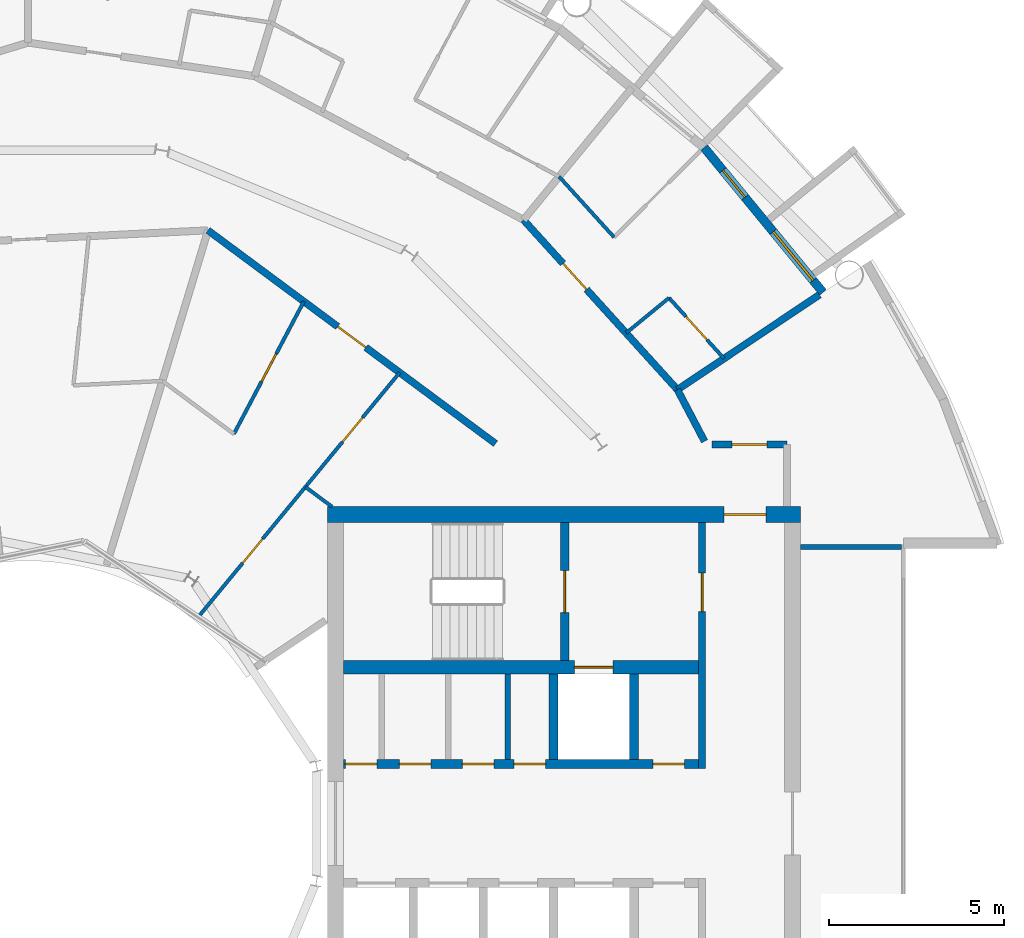
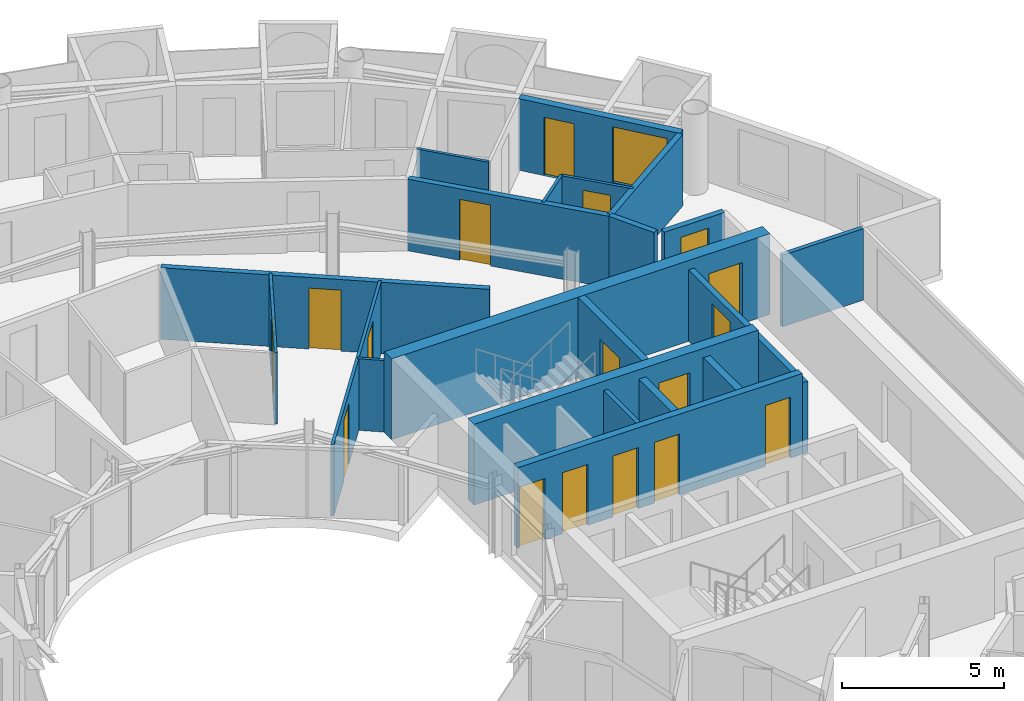
# One storey, part 23 of 29: 21 walls, 17 doors, 1 window, 18 openings.
"""IFC4 building model written with IfcOpenShell, lengths in metres."""

from ifc_helpers import new_model, si_unit, direction, frame, frame_2d, origin, place, context, subcontext, project, spatial, rectangle, extrude, material, layer, layer_set, type_object, element, fill, save


model = new_model("IFC4")

# Units and contexts
model_context = context("Model", 3, precision=1e-05, world=origin(), true_north=direction((0.0, 1.0)))
body_context = subcontext(model_context, "Body", "Model", "MODEL_VIEW")
ifc_project = project(units=[si_unit("LENGTHUNIT", "METRE"), si_unit("AREAUNIT", "SQUARE_METRE"), si_unit("VOLUMEUNIT", "CUBIC_METRE"), si_unit("PLANEANGLEUNIT", "RADIAN"), si_unit("MASSUNIT", "GRAM", prefix="KILO")], contexts=[model_context])

# Site, building, storey
site_placement = place(None, origin())
site = spatial("IfcSite", under=ifc_project, at=site_placement, CompositionType="ELEMENT")
building_placement = place(site_placement, origin())
building = spatial("IfcBuilding", under=site, at=building_placement, Name="Maasbend Ring Residences", CompositionType="ELEMENT")
storey_placement = place(building_placement, frame((0.0, 0.0, 205.449951171875)))
storey = spatial("IfcBuildingStorey", under=building, at=storey_placement, Name="L59", CompositionType="ELEMENT", Elevation=205.449951171875)

# Wall, openings, doors
ifc_material_1 = material(Name="Concrete C50/60", Category="concrete")
ifc_layer_1 = layer(ifc_material_1, 0.25)
ifc_layer_set_1 = layer_set([ifc_layer_1], Name="Concrete C50/60")
wall_type_1 = type_object("IfcWallType", Name="CORE WALL 250 C50/60", PredefinedType="SHEAR", material=ifc_layer_set_1)
wall_1_placement = place(storey_placement, frame((9.0, 1.699951171875, 0.0), z_axis=(0.0, 0.0, 1.0), x_axis=(1.0, 0.0, 0.0)))
wall_1 = element("IfcWall", 1, at=wall_1_placement, inside=storey, type_object=wall_type_1, Name="L59 core E wall SPN", PredefinedType="SHEAR", context=body_context, shape_type="SweptSolid", body=[
    extrude(rectangle(XDim=10.14990234375, YDim=0.25, at=frame_2d((5.074951171875, 0.0))), origin(), (0.0, 0.0, 1.0), 3.050048828125),
])
opening_1_placement = place(wall_1_placement, frame((0.0625, 0.0, 0.0)))
opening_1 = element("IfcOpeningElement", 2, at=opening_1_placement, cuts=wall_1, Name="Opening D-E5906", PredefinedType="OPENING", context=body_context, shape_type="SweptSolid", body=[
    extrude(rectangle(XDim=0.89990234375, YDim=2.300048828125, at=frame_2d((0.449951171875, 1.14990234375))), frame((0.0, 0.135009765625, 0.0), z_axis=(0.0, -1.0, 0.0), x_axis=(1.0, 0.0, 0.0)), (0.0, 0.0, 1.0), 0.27001953125),
])
opening_2_placement = place(wall_1_placement, frame((1.60009765625, 0.0, 0.0)))
opening_2 = element("IfcOpeningElement", 3, at=opening_2_placement, cuts=wall_1, Name="Opening D-E5907", PredefinedType="OPENING", context=body_context, shape_type="SweptSolid", body=[
    extrude(rectangle(XDim=0.89990234375, YDim=2.300048828125, at=frame_2d((0.449951171875, 1.14990234375))), frame((0.0, 0.135009765625, 0.0), z_axis=(0.0, -1.0, 0.0), x_axis=(1.0, 0.0, 0.0)), (0.0, 0.0, 1.0), 0.27001953125),
])
opening_3_placement = place(wall_1_placement, frame((3.39990234375, 0.0, 0.0)))
opening_3 = element("IfcOpeningElement", 4, at=opening_3_placement, cuts=wall_1, Name="Opening D-E5908", PredefinedType="OPENING", context=body_context, shape_type="SweptSolid", body=[
    extrude(rectangle(XDim=0.89990234375, YDim=2.300048828125, at=frame_2d((0.449951171875, 1.14990234375))), frame((0.0, 0.135009765625, 0.0), z_axis=(0.0, -1.0, 0.0), x_axis=(1.0, 0.0, 0.0)), (0.0, 0.0, 1.0), 0.27001953125),
])
opening_4_placement = place(wall_1_placement, frame((4.875, 0.0, 0.0)))
opening_4 = element("IfcOpeningElement", 5, at=opening_4_placement, cuts=wall_1, Name="Opening D-E5909", PredefinedType="OPENING", context=body_context, shape_type="SweptSolid", body=[
    extrude(rectangle(XDim=0.89990234375, YDim=2.300048828125, at=frame_2d((0.449951171875, 1.14990234375))), frame((0.0, 0.135009765625, 0.0), z_axis=(0.0, -1.0, 0.0), x_axis=(1.0, 0.0, 0.0)), (0.0, 0.0, 1.0), 0.27001953125),
])
opening_5_placement = place(wall_1_placement, frame((8.83740234375, 0.0, 0.0)))
opening_5 = element("IfcOpeningElement", 6, at=opening_5_placement, cuts=wall_1, Name="Opening D-E5910", PredefinedType="OPENING", context=body_context, shape_type="SweptSolid", body=[
    extrude(rectangle(XDim=0.89990234375, YDim=2.300048828125, at=frame_2d((0.449951171875, 1.14990234375))), frame((0.0, 0.135009765625, 0.0), z_axis=(0.0, -1.0, 0.0), x_axis=(1.0, 0.0, 0.0)), (0.0, 0.0, 1.0), 0.27001953125),
])
ifc_material_2 = material(Name="Steel, powder coated", Category="steel")
door_type_1 = type_object("IfcDoorType", Name="ROOM DOOR 900 X 2300 FD30S", OperationType="NOTDEFINED", PredefinedType="DOOR", material=ifc_material_2)
door_1_placement = place(opening_1_placement, origin())
door_1 = element("IfcDoor", 7, at=door_1_placement, inside=storey, type_object=door_type_1, Name="Room door L59", OperationType="SINGLE_SWING_RIGHT", OverallHeight=2.300048828125, OverallWidth=0.89990234375, PredefinedType="DOOR", context=body_context, shape_type="SweptSolid", body=[
    extrude(rectangle(XDim=0.89990234375, YDim=2.300048828125, at=frame_2d((0.449951171875, 1.14990234375))), frame((0.0, 0.02490234375, 0.0), z_axis=(0.0, -1.0, 0.0), x_axis=(1.0, 0.0, 0.0)), (0.0, 0.0, 1.0), 0.050048828125),
])
fill(opening_1, door_1)
door_2_placement = place(opening_2_placement, origin())
door_2 = element("IfcDoor", 8, at=door_2_placement, inside=storey, type_object=door_type_1, Name="Room door L59", OperationType="SINGLE_SWING_RIGHT", OverallHeight=2.300048828125, OverallWidth=0.89990234375, PredefinedType="DOOR", context=body_context, shape_type="SweptSolid", body=[
    extrude(rectangle(XDim=0.89990234375, YDim=2.300048828125, at=frame_2d((0.449951171875, 1.14990234375))), frame((0.0, 0.02490234375, 0.0), z_axis=(0.0, -1.0, 0.0), x_axis=(1.0, 0.0, 0.0)), (0.0, 0.0, 1.0), 0.050048828125),
])
fill(opening_2, door_2)
door_3_placement = place(opening_3_placement, origin())
door_3 = element("IfcDoor", 9, at=door_3_placement, inside=storey, type_object=door_type_1, Name="Room door L59", OperationType="SINGLE_SWING_RIGHT", OverallHeight=2.300048828125, OverallWidth=0.89990234375, PredefinedType="DOOR", context=body_context, shape_type="SweptSolid", body=[
    extrude(rectangle(XDim=0.89990234375, YDim=2.300048828125, at=frame_2d((0.449951171875, 1.14990234375))), frame((0.0, 0.02490234375, 0.0), z_axis=(0.0, -1.0, 0.0), x_axis=(1.0, 0.0, 0.0)), (0.0, 0.0, 1.0), 0.050048828125),
])
fill(opening_3, door_3)
door_4_placement = place(opening_4_placement, origin())
door_4 = element("IfcDoor", 10, at=door_4_placement, inside=storey, type_object=door_type_1, Name="Room door L59", OperationType="SINGLE_SWING_LEFT", OverallHeight=2.300048828125, OverallWidth=0.89990234375, PredefinedType="DOOR", context=body_context, shape_type="SweptSolid", body=[
    extrude(rectangle(XDim=0.89990234375, YDim=2.300048828125, at=frame_2d((0.449951171875, 1.14990234375))), frame((0.0, 0.02490234375, 0.0), z_axis=(0.0, -1.0, 0.0), x_axis=(1.0, 0.0, 0.0)), (0.0, 0.0, 1.0), 0.050048828125),
])
fill(opening_4, door_4)
door_5_placement = place(opening_5_placement, origin())
door_5 = element("IfcDoor", 11, at=door_5_placement, inside=storey, type_object=door_type_1, Name="Room door L59", OperationType="SINGLE_SWING_LEFT", OverallHeight=2.300048828125, OverallWidth=0.89990234375, PredefinedType="DOOR", context=body_context, shape_type="SweptSolid", body=[
    extrude(rectangle(XDim=0.89990234375, YDim=2.300048828125, at=frame_2d((0.449951171875, 1.14990234375))), frame((0.0, 0.02490234375, 0.0), z_axis=(0.0, -1.0, 0.0), x_axis=(1.0, 0.0, 0.0)), (0.0, 0.0, 1.0), 0.050048828125),
])
fill(opening_5, door_5)

# Wall, opening, door
wall_2_placement = place(storey_placement, frame((15.324951171875, 4.64990234375, 0.0), z_axis=(0.0, 0.0, 1.0), x_axis=(0.0, 1.0, 0.0)))
wall_2 = element("IfcWall", 12, at=wall_2_placement, inside=storey, type_object=wall_type_1, Name="L59 core E wall STEN", PredefinedType="SHEAR", context=body_context, shape_type="SweptSolid", body=[
    extrude(rectangle(XDim=3.9501953125, YDim=0.25, at=frame_2d((1.97509765625, 0.0))), origin(), (0.0, 0.0, 1.0), 3.050048828125),
])
opening_6_placement = place(wall_2_placement, frame((1.375, 0.0, 0.0)))
opening_6 = element("IfcOpeningElement", 13, at=opening_6_placement, cuts=wall_2, Name="Opening D-E5913", PredefinedType="OPENING", context=body_context, shape_type="SweptSolid", body=[
    extrude(rectangle(XDim=1.199951171875, YDim=2.300048828125, at=frame_2d((0.60009765625, 1.14990234375))), frame((0.0, 0.135009765625, 0.0), z_axis=(0.0, -1.0, 0.0), x_axis=(1.0, 0.0, 0.0)), (0.0, 0.0, 1.0), 0.27001953125),
])
ifc_material_3 = material(Name="Steel, powder coated", Category="steel")
door_type_2 = type_object("IfcDoorType", Name="STAIR DOOR 1200 X 2300 FD60", OperationType="NOTDEFINED", PredefinedType="DOOR", material=ifc_material_3)
door_6_placement = place(opening_6_placement, origin())
door_6 = element("IfcDoor", 14, at=door_6_placement, inside=storey, type_object=door_type_2, Name="Stair door ST-E L59", OperationType="SINGLE_SWING_LEFT", OverallHeight=2.300048828125, OverallWidth=1.199951171875, PredefinedType="DOOR", context=body_context, shape_type="SweptSolid", body=[
    extrude(rectangle(XDim=1.199951171875, YDim=2.300048828125, at=frame_2d((0.60009765625, 1.14990234375))), frame((0.0, 0.02490234375, 0.0), z_axis=(0.0, -1.0, 0.0), x_axis=(1.0, 0.0, 0.0)), (0.0, 0.0, 1.0), 0.050048828125),
])
fill(opening_6, door_6)

ifc_material_4 = material(Name="Concrete C50/60", Category="concrete")
ifc_layer_2 = layer(ifc_material_4, 0.375)
ifc_layer_set_2 = layer_set([ifc_layer_2], Name="Concrete C50/60")
wall_type_2 = type_object("IfcWallType", Name="CORE WALL 375 C50/60", PredefinedType="SHEAR", material=ifc_layer_set_2)
wall_3_placement = place(storey_placement, frame((9.0, 4.46240234375, 0.0), z_axis=(0.0, 0.0, 1.0), x_axis=(1.0, 0.0, 0.0)))
wall_3 = element("IfcWall", 15, at=wall_3_placement, inside=storey, type_object=wall_type_2, Name="L59 core E wall BN", PredefinedType="SHEAR", context=body_context, shape_type="SweptSolid", body=[
    extrude(rectangle(XDim=10.14990234375, YDim=0.375, at=frame_2d((5.074951171875, 0.0))), origin(), (0.0, 0.0, 1.0), 3.050048828125),
])
opening_7_placement = place(wall_3_placement, frame((6.60009765625, 0.0, 0.0)))
opening_7 = element("IfcOpeningElement", 16, at=opening_7_placement, cuts=wall_3, Name="Opening LD-E5901", PredefinedType="OPENING", context=body_context, shape_type="SweptSolid", body=[
    extrude(rectangle(XDim=1.10009765625, YDim=2.300048828125, at=frame_2d((0.550048828125, 1.14990234375))), frame((0.0, 0.197509765625, 0.0), z_axis=(0.0, -1.0, 0.0), x_axis=(1.0, 0.0, 0.0)), (0.0, 0.0, 1.0), 0.39501953125),
])
ifc_material_5 = material(Name="Stainless steel 316", Category="steel")
door_type_3 = type_object("IfcDoorType", Name="LANDING DOOR 1100 X 2300 FD60", OperationType="DOUBLE_DOOR_SLIDING", PredefinedType="DOOR", material=ifc_material_5)
door_7_placement = place(opening_7_placement, origin())
door_7 = element("IfcDoor", 17, at=door_7_placement, inside=storey, type_object=door_type_3, Name="Landing door FF-E L59", OperationType="DOUBLE_DOOR_SLIDING", OverallHeight=2.300048828125, OverallWidth=1.10009765625, PredefinedType="DOOR", context=body_context, shape_type="SweptSolid", body=[
    extrude(rectangle(XDim=1.10009765625, YDim=2.300048828125, at=frame_2d((0.550048828125, 1.14990234375))), frame((0.0, 0.02490234375, 0.0), z_axis=(0.0, -1.0, 0.0), x_axis=(1.0, 0.0, 0.0)), (0.0, 0.0, 1.0), 0.050048828125),
])
fill(opening_7, door_7)

ifc_material_6 = material(Name="Concrete C50/60", Category="concrete")
ifc_layer_3 = layer(ifc_material_6, 0.449951171875)
ifc_layer_set_3 = layer_set([ifc_layer_3], Name="Concrete C50/60")
wall_type_3 = type_object("IfcWallType", Name="CORE WALL 450 C50/60", PredefinedType="SHEAR", material=ifc_layer_set_3)
wall_4_placement = place(storey_placement, frame((22.050048828125, 8.824951171875, 0.0), z_axis=(0.0, 0.0, 1.0), x_axis=(-1.0, 0.0, 0.0)))
wall_4 = element("IfcWall", 18, at=wall_4_placement, inside=storey, type_object=wall_type_3, Name="L59 core E wall PN", PredefinedType="SHEAR", context=body_context, shape_type="SweptSolid", body=[
    extrude(rectangle(XDim=13.5, YDim=0.449951171875, at=frame_2d((6.75, 0.0))), origin(), (0.0, 0.0, 1.0), 3.050048828125),
])
opening_8_placement = place(wall_4_placement, frame((0.97509765625, 0.0, 0.0)))
opening_8 = element("IfcOpeningElement", 19, at=opening_8_placement, cuts=wall_4, Name="Opening D-E5917", PredefinedType="OPENING", context=body_context, shape_type="SweptSolid", body=[
    extrude(rectangle(XDim=1.199951171875, YDim=2.300048828125, at=frame_2d((0.60009765625, 1.14990234375))), frame((0.0, 0.23486328125, 0.0), z_axis=(0.0, -1.0, 0.0), x_axis=(1.0, 0.0, 0.0)), (0.0, 0.0, 1.0), 0.469970703125),
])
ifc_material_7 = material(Name="Steel, powder coated", Category="steel")
door_type_4 = type_object("IfcDoorType", Name="CORRIDOR DOOR 1200 X 2300 FD30S", OperationType="NOTDEFINED", PredefinedType="DOOR", material=ifc_material_7)
door_8_placement = place(opening_8_placement, origin())
door_8 = element("IfcDoor", 20, at=door_8_placement, inside=storey, type_object=door_type_4, Name="Corridor door L59", OperationType="SINGLE_SWING_RIGHT", OverallHeight=2.300048828125, OverallWidth=1.199951171875, PredefinedType="DOOR", context=body_context, shape_type="SweptSolid", body=[
    extrude(rectangle(XDim=1.199951171875, YDim=2.300048828125, at=frame_2d((0.60009765625, 1.14990234375))), frame((0.0, 0.02490234375, 0.0), z_axis=(0.0, -1.0, 0.0), x_axis=(1.0, 0.0, 0.0)), (0.0, 0.0, 1.0), 0.050048828125),
])
fill(opening_8, door_8)

ifc_material_8 = material(Name="Concrete C30/37", Category="concrete")
ifc_layer_4 = layer(ifc_material_8, 0.199951171875)
ifc_layer_set_4 = layer_set([ifc_layer_4], Name="Concrete C30/37")
wall_type_4 = type_object("IfcWallType", Name="CORRIDOR WALL 200 CONCRETE", PredefinedType="PARTITIONING", material=ifc_layer_set_4)
wall_5_placement = place(storey_placement, frame((19.52294921875, 10.824951171875, 0.0), z_axis=(0.0, 0.0, 1.0), x_axis=(1.0, 0.0, 0.0)))
wall_5 = element("IfcWall", 21, at=wall_5_placement, inside=storey, type_object=wall_type_4, Name="U-L59-w094", PredefinedType="PARTITIONING", context=body_context, shape_type="SweptSolid", body=[
    extrude(rectangle(XDim=2.152099609375, YDim=0.199951171875, at=frame_2d((1.076171875, 0.0))), origin(), (0.0, 0.0, 1.0), 2.699951171875),
])
opening_9_placement = place(wall_5_placement, frame((0.575927734375, 0.0, 0.0)))
opening_9 = element("IfcOpeningElement", 22, at=opening_9_placement, cuts=wall_5, Name="Opening D-5971", PredefinedType="OPENING", context=body_context, shape_type="SweptSolid", body=[
    extrude(rectangle(XDim=1.0, YDim=2.300048828125, at=frame_2d((0.5, 1.14990234375))), frame((0.0, 0.10986328125, 0.0), z_axis=(0.0, -1.0, 0.0), x_axis=(1.0, 0.0, 0.0)), (0.0, 0.0, 1.0), 0.219970703125),
])
ifc_material_9 = material(Name="Timber, painted", Category="wood")
door_type_5 = type_object("IfcDoorType", Name="ROOM DOOR 1000 X 2300", OperationType="NOTDEFINED", PredefinedType="DOOR", material=ifc_material_9)
door_9_placement = place(opening_9_placement, origin())
door_9 = element("IfcDoor", 23, at=door_9_placement, inside=storey, type_object=door_type_5, Name="D-5971", OperationType="SINGLE_SWING_LEFT", OverallHeight=2.300048828125, OverallWidth=1.0, PredefinedType="DOOR", context=body_context, shape_type="SweptSolid", body=[
    extrude(rectangle(XDim=1.0, YDim=2.300048828125, at=frame_2d((0.5, 1.14990234375))), frame((0.0, 0.02490234375, 0.0), z_axis=(0.0, -1.0, 0.0), x_axis=(1.0, 0.0, 0.0)), (0.0, 0.0, 1.0), 0.050048828125),
])
fill(opening_9, door_9)

wall_6_placement = place(storey_placement, frame((5.136962890625, 16.93798828125, 0.0), z_axis=(0.0, 0.0, 1.0), x_axis=(0.803229232922, -0.595670042371, 0.0)))
wall_6 = element("IfcWall", 24, at=wall_6_placement, inside=storey, type_object=wall_type_4, Name="U-L59-w102", PredefinedType="PARTITIONING", context=body_context, shape_type="SweptSolid", body=[
    extrude(rectangle(XDim=10.223876953125, YDim=0.199951171875, at=frame_2d((5.11181640625, 0.0))), origin(), (0.0, 0.0, 1.0), 2.699951171875),
])
opening_10_placement = place(wall_6_placement, frame((4.612060546875, 0.0, 0.0)))
opening_10 = element("IfcOpeningElement", 25, at=opening_10_placement, cuts=wall_6, Name="Opening D-5921", PredefinedType="OPENING", context=body_context, shape_type="SweptSolid", body=[
    extrude(rectangle(XDim=1.0, YDim=2.300048828125, at=frame_2d((0.5, 1.14990234375))), frame((0.0, 0.10986328125, 0.0), z_axis=(0.0, -1.0, 0.0), x_axis=(1.0, 0.0, 0.0)), (0.0, 0.0, 1.0), 0.219970703125),
])
ifc_material_10 = material(Name="Timber, fire-rated, painted", Category="wood")
door_type_6 = type_object("IfcDoorType", Name="FLAT ENTRANCE DOOR 1000 X 2300 FIRE-RATED", OperationType="NOTDEFINED", PredefinedType="DOOR", material=ifc_material_10)
door_10_placement = place(opening_10_placement, origin())
door_10 = element("IfcDoor", 26, at=door_10_placement, inside=storey, type_object=door_type_6, Name="D-5921", OperationType="SINGLE_SWING_RIGHT", OverallHeight=2.300048828125, OverallWidth=1.0, PredefinedType="DOOR", context=body_context, shape_type="SweptSolid", body=[
    extrude(rectangle(XDim=1.0, YDim=2.300048828125, at=frame_2d((0.5, 1.14990234375))), frame((0.0, 0.02490234375, 0.0), z_axis=(0.0, -1.0, 0.0), x_axis=(1.0, 0.0, 0.0)), (0.0, 0.0, 1.0), 0.050048828125),
])
fill(opening_10, door_10)

wall_7_placement = place(storey_placement, frame((14.14697265625, 17.238037109375, 0.0), z_axis=(0.0, 0.0, 1.0), x_axis=(0.671561669125, -0.740948665268, 0.0)))
wall_7 = element("IfcWall", 27, at=wall_7_placement, inside=storey, type_object=wall_type_4, Name="U-L59-w110", PredefinedType="PARTITIONING", context=body_context, shape_type="SweptSolid", body=[
    extrude(rectangle(XDim=6.54443359375, YDim=0.199951171875, at=frame_2d((3.272216796875, 0.0))), origin(), (0.0, 0.0, 1.0), 2.699951171875),
])
opening_11_placement = place(wall_7_placement, frame((1.681884765625, 0.0, 0.0)))
opening_11 = element("IfcOpeningElement", 28, at=opening_11_placement, cuts=wall_7, Name="Opening D-5901", PredefinedType="OPENING", context=body_context, shape_type="SweptSolid", body=[
    extrude(rectangle(XDim=1.0, YDim=2.300048828125, at=frame_2d((0.5, 1.14990234375))), frame((0.0, 0.10986328125, 0.0), z_axis=(0.0, -1.0, 0.0), x_axis=(1.0, 0.0, 0.0)), (0.0, 0.0, 1.0), 0.219970703125),
])
door_11_placement = place(opening_11_placement, origin())
door_11 = element("IfcDoor", 29, at=door_11_placement, inside=storey, type_object=door_type_6, Name="D-5901", OperationType="SINGLE_SWING_LEFT", OverallHeight=2.300048828125, OverallWidth=1.0, PredefinedType="DOOR", context=body_context, shape_type="SweptSolid", body=[
    extrude(rectangle(XDim=1.0, YDim=2.300048828125, at=frame_2d((0.5, 1.14990234375))), frame((0.0, 0.02490234375, 0.0), z_axis=(0.0, -1.0, 0.0), x_axis=(1.0, 0.0, 0.0)), (0.0, 0.0, 1.0), 0.050048828125),
])
fill(opening_11, door_11)

# Wall
wall_8_placement = place(storey_placement, frame((18.5419921875, 12.388916015625, 0.0), z_axis=(0.0, 0.0, 1.0), x_axis=(0.465359652486, -0.885121683068, 0.0)))
element("IfcWall", 30, at=wall_8_placement, inside=storey, type_object=wall_type_4, Name="U-L59-w112", PredefinedType="PARTITIONING", context=body_context, shape_type="SweptSolid", body=[
    extrude(rectangle(XDim=1.665283203125, YDim=0.199951171875, at=frame_2d((0.83251953125, 0.0))), origin(), (0.0, 0.0, 1.0), 2.699951171875),
])

# Wall, openings, door, window
ifc_material_11 = material(Name="Aluminium clad insulated panel", Category="aluminium")
ifc_layer_5 = layer(ifc_material_11, 0.25)
ifc_layer_set_5 = layer_set([ifc_layer_5], Name="EW-GL")
wall_type_5 = type_object("IfcWallType", Name="EW-GL", PredefinedType="SOLIDWALL", material=ifc_layer_set_5)
wall_9_placement = place(storey_placement, frame((22.698974609375, 15.1669921875, 0.0), z_axis=(0.0, 0.0, 1.0), x_axis=(-0.634382322723, 0.773019449054, 0.0)))
wall_9 = element("IfcWall", 31, at=wall_9_placement, inside=storey, type_object=wall_type_5, Name="External wall N01", PredefinedType="SOLIDWALL", context=body_context, shape_type="SweptSolid", body=[
    extrude(rectangle(XDim=5.351806640625, YDim=0.25, at=frame_2d((2.67578125, 0.0))), origin(), (0.0, 0.0, 1.0), 2.699951171875),
])
opening_12_placement = place(wall_9_placement, frame((0.441162109375, 0.0, 0.300048828125)))
opening_12 = element("IfcOpeningElement", 32, at=opening_12_placement, cuts=wall_9, Name="Opening W-BX", PredefinedType="OPENING", context=body_context, shape_type="SweptSolid", body=[
    extrude(rectangle(XDim=1.800048828125, YDim=2.10009765625, at=frame_2d((0.89990234375, 1.050048828125))), frame((0.0, 0.135009765625, 0.0), z_axis=(0.0, -1.0, 0.0), x_axis=(1.0, 0.0, 0.0)), (0.0, 0.0, 1.0), 0.27001953125),
])
opening_13_placement = place(wall_9_placement, frame((3.510498046875, 0.0, 0.0)))
opening_13 = element("IfcOpeningElement", 33, at=opening_13_placement, cuts=wall_9, Name="Opening D-LG", PredefinedType="OPENING", context=body_context, shape_type="SweptSolid", body=[
    extrude(rectangle(XDim=1.0, YDim=2.199951171875, at=frame_2d((0.5, 1.10009765625))), frame((0.0, 0.135009765625, 0.0), z_axis=(0.0, -1.0, 0.0), x_axis=(1.0, 0.0, 0.0)), (0.0, 0.0, 1.0), 0.27001953125),
])
ifc_material_12 = material(Name="Aluminium and clear glass", Category="aluminium")
door_type_7 = type_object("IfcDoorType", Name="D-LG", OperationType="SINGLE_SWING_LEFT", PredefinedType="DOOR", material=ifc_material_12)
door_12_placement = place(opening_13_placement, origin())
door_12 = element("IfcDoor", 34, at=door_12_placement, inside=storey, type_object=door_type_7, Name="Loggia door N02", OperationType="SINGLE_SWING_LEFT", OverallHeight=2.199951171875, OverallWidth=1.0, PredefinedType="DOOR", context=body_context, shape_type="SweptSolid", body=[
    extrude(rectangle(XDim=1.0, YDim=2.199951171875, at=frame_2d((0.5, 1.10009765625))), frame((0.0, 0.02490234375, 0.0), z_axis=(0.0, -1.0, 0.0), x_axis=(1.0, 0.0, 0.0)), (0.0, 0.0, 1.0), 0.050048828125),
])
fill(opening_13, door_12)
ifc_material_13 = material(Name="Aluminium and clear glass", Category="aluminium")
window_type = type_object("IfcWindowType", Name="W-BX", PartitioningType="DOUBLE_PANEL_VERTICAL", PredefinedType="WINDOW", material=ifc_material_13)
window_placement = place(opening_12_placement, origin())
window = element("IfcWindow", 35, at=window_placement, inside=storey, type_object=window_type, Name="Window N01 room to box", OverallHeight=2.10009765625, OverallWidth=1.800048828125, PartitioningType="SINGLE_PANEL", PredefinedType="WINDOW", context=body_context, shape_type="SweptSolid", body=[
    extrude(rectangle(XDim=1.800048828125, YDim=2.10009765625, at=frame_2d((0.89990234375, 1.050048828125))), frame((0.0, 0.030029296875, 0.0), z_axis=(0.0, -1.0, 0.0), x_axis=(1.0, 0.0, 0.0)), (0.0, 0.0, 1.0), 0.06005859375),
])
fill(opening_12, window)

# Wall, openings, doors
ifc_material_14 = material(Name="Gypsum board on steel studs", Category="steel")
ifc_layer_6 = layer(ifc_material_14, 0.10009765625)
ifc_layer_set_6 = layer_set([ifc_layer_6], Name="PARTITION 100 GYPSUM")
wall_type_6 = type_object("IfcWallType", Name="PARTITION 100 GYPSUM", PredefinedType="PARTITIONING", material=ifc_layer_set_6)
wall_10_placement = place(storey_placement, frame((4.908935546875, 5.9580078125, 0.0), z_axis=(0.0, 0.0, 1.0), x_axis=(0.635879010442, 0.771788756124, 0.0)))
wall_10 = element("IfcWall", 36, at=wall_10_placement, inside=storey, type_object=wall_type_6, Name="U-L59-w072", PredefinedType="PARTITIONING", context=body_context, shape_type="SweptSolid", body=[
    extrude(rectangle(XDim=8.96728515625, YDim=0.10009765625, at=frame_2d((4.483642578125, 0.0))), origin(), (0.0, 0.0, 1.0), 2.699951171875),
])
opening_14_placement = place(wall_10_placement, frame((6.39990234375, 0.0, 0.0)))
opening_14 = element("IfcOpeningElement", 37, at=opening_14_placement, cuts=wall_10, Name="Opening D-5923", PredefinedType="OPENING", context=body_context, shape_type="SweptSolid", body=[
    extrude(rectangle(XDim=0.89990234375, YDim=2.300048828125, at=frame_2d((0.449951171875, 1.14990234375))), frame((0.0, 0.06005859375, 0.0), z_axis=(0.0, -1.0, 0.0), x_axis=(1.0, 0.0, 0.0)), (0.0, 0.0, 1.0), 0.1201171875),
])
opening_15_placement = place(wall_10_placement, frame((1.9169921875, 0.0, 0.0)))
opening_15 = element("IfcOpeningElement", 38, at=opening_15_placement, cuts=wall_10, Name="Opening D-5924", PredefinedType="OPENING", context=body_context, shape_type="SweptSolid", body=[
    extrude(rectangle(XDim=0.89990234375, YDim=2.300048828125, at=frame_2d((0.449951171875, 1.14990234375))), frame((0.0, 0.06005859375, 0.0), z_axis=(0.0, -1.0, 0.0), x_axis=(1.0, 0.0, 0.0)), (0.0, 0.0, 1.0), 0.1201171875),
])
ifc_material_15 = material(Name="Timber, painted", Category="wood")
door_type_8 = type_object("IfcDoorType", Name="INTERNAL DOOR 900 X 2300", OperationType="NOTDEFINED", PredefinedType="DOOR", material=ifc_material_15)
door_13_placement = place(opening_14_placement, origin())
door_13 = element("IfcDoor", 39, at=door_13_placement, inside=storey, type_object=door_type_8, Name="D-5923", OperationType="SINGLE_SWING_RIGHT", OverallHeight=2.300048828125, OverallWidth=0.89990234375, PredefinedType="DOOR", context=body_context, shape_type="SweptSolid", body=[
    extrude(rectangle(XDim=0.89990234375, YDim=2.300048828125, at=frame_2d((0.449951171875, 1.14990234375))), frame((0.0, 0.02490234375, 0.0), z_axis=(0.0, -1.0, 0.0), x_axis=(1.0, 0.0, 0.0)), (0.0, 0.0, 1.0), 0.050048828125),
])
fill(opening_14, door_13)
door_14_placement = place(opening_15_placement, origin())
door_14 = element("IfcDoor", 40, at=door_14_placement, inside=storey, type_object=door_type_8, Name="D-5924", OperationType="SINGLE_SWING_LEFT", OverallHeight=2.300048828125, OverallWidth=0.89990234375, PredefinedType="DOOR", context=body_context, shape_type="SweptSolid", body=[
    extrude(rectangle(XDim=0.89990234375, YDim=2.300048828125, at=frame_2d((0.449951171875, 1.14990234375))), frame((0.0, 0.02490234375, 0.0), z_axis=(0.0, -1.0, 0.0), x_axis=(1.0, 0.0, 0.0)), (0.0, 0.0, 1.0), 0.050048828125),
])
fill(opening_15, door_14)

# Wall, opening, door
wall_11_placement = place(storey_placement, frame((5.876953125, 11.125, 0.0), z_axis=(0.0, 0.0, 1.0), x_axis=(0.467030118529, 0.884241408432, 0.0)))
wall_11 = element("IfcWall", 41, at=wall_11_placement, inside=storey, type_object=wall_type_6, Name="U-L59-w073", PredefinedType="PARTITIONING", context=body_context, shape_type="SweptSolid", body=[
    extrude(rectangle(XDim=4.278076171875, YDim=0.10009765625, at=frame_2d((2.13916015625, 0.0))), origin(), (0.0, 0.0, 1.0), 2.699951171875),
])
opening_16_placement = place(wall_11_placement, frame((1.68896484375, 0.0, 0.0)))
opening_16 = element("IfcOpeningElement", 42, at=opening_16_placement, cuts=wall_11, Name="Opening D-5922", PredefinedType="OPENING", context=body_context, shape_type="SweptSolid", body=[
    extrude(rectangle(XDim=0.89990234375, YDim=2.300048828125, at=frame_2d((0.449951171875, 1.14990234375))), frame((0.0, 0.06005859375, 0.0), z_axis=(0.0, -1.0, 0.0), x_axis=(1.0, 0.0, 0.0)), (0.0, 0.0, 1.0), 0.1201171875),
])
door_15_placement = place(opening_16_placement, origin())
door_15 = element("IfcDoor", 43, at=door_15_placement, inside=storey, type_object=door_type_8, Name="D-5922", OperationType="SINGLE_SWING_RIGHT", OverallHeight=2.300048828125, OverallWidth=0.89990234375, PredefinedType="DOOR", context=body_context, shape_type="SweptSolid", body=[
    extrude(rectangle(XDim=0.89990234375, YDim=2.300048828125, at=frame_2d((0.449951171875, 1.14990234375))), frame((0.0, 0.02490234375, 0.0), z_axis=(0.0, -1.0, 0.0), x_axis=(1.0, 0.0, 0.0)), (0.0, 0.0, 1.0), 0.050048828125),
])
fill(opening_16, door_15)

# Walls
wall_12_placement = place(storey_placement, frame((17.076904296875, 14.006103515625, 0.0), z_axis=(0.0, 0.0, 1.0), x_axis=(0.773476341377, 0.633825172528, 0.0)))
element("IfcWall", 44, at=wall_12_placement, inside=storey, type_object=wall_type_6, Name="U-L59-w090", PredefinedType="PARTITIONING", context=body_context, shape_type="SweptSolid", body=[
    extrude(rectangle(XDim=1.583984375, YDim=0.10009765625, at=frame_2d((0.7919921875, 0.0))), origin(), (0.0, 0.0, 1.0), 2.699951171875),
])
wall_13_placement = place(storey_placement, frame((7.922119140625, 9.60888671875, 0.0), z_axis=(0.0, 0.0, 1.0), x_axis=(0.802974061841, -0.596013972999, 0.0)))
element("IfcWall", 45, at=wall_13_placement, inside=storey, type_object=wall_type_6, Name="U-L59-w098", PredefinedType="PARTITIONING", context=body_context, shape_type="SweptSolid", body=[
    extrude(rectangle(XDim=0.942626953125, YDim=0.10009765625, at=frame_2d((0.47119140625, 0.0))), origin(), (0.0, 0.0, 1.0), 2.699951171875),
])
wall_14_placement = place(storey_placement, frame((15.162109375, 18.47509765625, 0.0), z_axis=(0.0, 0.0, 1.0), x_axis=(0.671528384412, -0.740978831634, 0.0)))
element("IfcWall", 46, at=wall_14_placement, inside=storey, type_object=wall_type_6, Name="U-L59-w121", PredefinedType="PARTITIONING", context=body_context, shape_type="SweptSolid", body=[
    extrude(rectangle(XDim=2.337646484375, YDim=0.10009765625, at=frame_2d((1.1689453125, 0.0))), origin(), (0.0, 0.0, 1.0), 2.699951171875),
])

# Wall, opening, door
wall_15_placement = place(storey_placement, frame((18.302001953125, 15.010009765625, 0.0), z_axis=(0.0, 0.0, 1.0), x_axis=(0.671637685376, -0.740879760544, 0.0)))
wall_15 = element("IfcWall", 47, at=wall_15_placement, inside=storey, type_object=wall_type_6, Name="U-L59-w122", PredefinedType="PARTITIONING", context=body_context, shape_type="SweptSolid", body=[
    extrude(rectangle(XDim=2.337646484375, YDim=0.10009765625, at=frame_2d((1.1689453125, 0.0))), origin(), (0.0, 0.0, 1.0), 2.699951171875),
])
opening_17_placement = place(wall_15_placement, frame((0.718994140625, 0.0, 0.0)))
opening_17 = element("IfcOpeningElement", 48, at=opening_17_placement, cuts=wall_15, Name="Opening D-5902", PredefinedType="OPENING", context=body_context, shape_type="SweptSolid", body=[
    extrude(rectangle(XDim=0.89990234375, YDim=2.300048828125, at=frame_2d((0.449951171875, 1.14990234375))), frame((0.0, 0.06005859375, 0.0), z_axis=(0.0, -1.0, 0.0), x_axis=(1.0, 0.0, 0.0)), (0.0, 0.0, 1.0), 0.1201171875),
])
door_16_placement = place(opening_17_placement, origin())
door_16 = element("IfcDoor", 49, at=door_16_placement, inside=storey, type_object=door_type_8, Name="D-5902", OperationType="SINGLE_SWING_RIGHT", OverallHeight=2.300048828125, OverallWidth=0.89990234375, PredefinedType="DOOR", context=body_context, shape_type="SweptSolid", body=[
    extrude(rectangle(XDim=0.89990234375, YDim=2.300048828125, at=frame_2d((0.449951171875, 1.14990234375))), frame((0.0, 0.02490234375, 0.0), z_axis=(0.0, -1.0, 0.0), x_axis=(1.0, 0.0, 0.0)), (0.0, 0.0, 1.0), 0.050048828125),
])
fill(opening_17, door_16)

# Walls
ifc_material_16 = material(Name="Gypsum board on steel studs", Category="steel")
ifc_layer_7 = layer(ifc_material_16, 0.14990234375)
ifc_layer_set_7 = layer_set([ifc_layer_7], Name="PARTITION 150 EI 60")
wall_type_7 = type_object("IfcWallType", Name="PARTITION 150 EI 60", PredefinedType="PARTITIONING", material=ifc_layer_set_7)
wall_16_placement = place(storey_placement, frame((13.699951171875, 1.824951171875, 0.0), z_axis=(0.0, 0.0, 1.0), x_axis=(0.0, 1.0, 0.0)))
element("IfcWall", 50, at=wall_16_placement, inside=storey, type_object=wall_type_7, Name="L59 core E wall PRN1370", PredefinedType="PARTITIONING", context=body_context, shape_type="SweptSolid", body=[
    extrude(rectangle(XDim=2.449951171875, YDim=0.14990234375, at=frame_2d((1.22509765625, 0.0))), origin(), (0.0, 0.0, 1.0), 2.699951171875),
])
wall_17_placement = place(storey_placement, frame((22.050048828125, 7.89990234375, 0.0), z_axis=(0.0, 0.0, 1.0), x_axis=(1.0, 0.0, 0.0)))
element("IfcWall", 51, at=wall_17_placement, inside=storey, type_object=wall_type_7, Name="L59 core E wall CITN", PredefinedType="PARTITIONING", context=body_context, shape_type="SweptSolid", body=[
    extrude(rectangle(XDim=2.889892578125, YDim=0.14990234375, at=frame_2d((1.44482421875, 0.0))), origin(), (0.0, 0.0, 1.0), 2.699951171875),
])
ifc_material_17 = material(Name="Concrete C30/37", Category="concrete")
ifc_layer_8 = layer(ifc_material_17, 0.199951171875)
ifc_layer_set_8 = layer_set([ifc_layer_8], Name="Concrete C30/37")
wall_type_8 = type_object("IfcWallType", Name="PARTY WALL 200 CONCRETE", PredefinedType="PARTITIONING", material=ifc_layer_set_8)
wall_18_placement = place(storey_placement, frame((18.5419921875, 12.388916015625, 0.0), z_axis=(0.0, 0.0, 1.0), x_axis=(0.831387096605, 0.55569370664, 0.0)))
element("IfcWall", 52, at=wall_18_placement, inside=storey, type_object=wall_type_8, Name="U-L59-w088", PredefinedType="PARTITIONING", context=body_context, shape_type="SweptSolid", body=[
    extrude(rectangle(XDim=4.875, YDim=0.199951171875, at=frame_2d((2.4375, 0.0))), origin(), (0.0, 0.0, 1.0), 2.699951171875),
])

# Wall, opening, door
ifc_material_18 = material(Name="Concrete C30/37", Category="concrete")
ifc_layer_9 = layer(ifc_material_18, 0.199951171875)
ifc_layer_set_9 = layer_set([ifc_layer_9], Name="Concrete C30/37")
wall_type_9 = type_object("IfcWallType", Name="SHAFT WALL 200 EI 120", PredefinedType="SOLIDWALL", material=ifc_layer_set_9)
wall_19_placement = place(storey_placement, frame((19.25, 1.574951171875, 0.0), z_axis=(0.0, 0.0, 1.0), x_axis=(0.0, 1.0, 0.0)))
wall_19 = element("IfcWall", 53, at=wall_19_placement, inside=storey, type_object=wall_type_9, Name="L59 core E wall ENDN", PredefinedType="SOLIDWALL", context=body_context, shape_type="SweptSolid", body=[
    extrude(rectangle(XDim=7.025146484375, YDim=0.199951171875, at=frame_2d((3.5126953125, 0.0))), origin(), (0.0, 0.0, 1.0), 2.699951171875),
])
opening_18_placement = place(wall_19_placement, frame((4.47509765625, 0.0, 0.0)))
opening_18 = element("IfcOpeningElement", 54, at=opening_18_placement, cuts=wall_19, Name="Opening D-E5915", PredefinedType="OPENING", context=body_context, shape_type="SweptSolid", body=[
    extrude(rectangle(XDim=1.10009765625, YDim=2.300048828125, at=frame_2d((0.550048828125, 1.14990234375))), frame((0.0, 0.10986328125, 0.0), z_axis=(0.0, -1.0, 0.0), x_axis=(1.0, 0.0, 0.0)), (0.0, 0.0, 1.0), 0.219970703125),
])
ifc_material_19 = material(Name="Steel, powder coated", Category="steel")
door_type_9 = type_object("IfcDoorType", Name="LOBBY DOOR 1100 X 2300 FD60", OperationType="NOTDEFINED", PredefinedType="DOOR", material=ifc_material_19)
door_17_placement = place(opening_18_placement, origin())
door_17 = element("IfcDoor", 55, at=door_17_placement, inside=storey, type_object=door_type_9, Name="Lobby door L59", OperationType="SINGLE_SWING_LEFT", OverallHeight=2.300048828125, OverallWidth=1.10009765625, PredefinedType="DOOR", context=body_context, shape_type="SweptSolid", body=[
    extrude(rectangle(XDim=1.10009765625, YDim=2.300048828125, at=frame_2d((0.550048828125, 1.14990234375))), frame((0.0, 0.02490234375, 0.0), z_axis=(0.0, -1.0, 0.0), x_axis=(1.0, 0.0, 0.0)), (0.0, 0.0, 1.0), 0.050048828125),
])
fill(opening_18, door_17)

# Walls
ifc_material_20 = material(Name="Concrete C30/37", Category="concrete")
ifc_layer_10 = layer(ifc_material_20, 0.25)
ifc_layer_set_10 = layer_set([ifc_layer_10], Name="Concrete C30/37")
wall_type_10 = type_object("IfcWallType", Name="SHAFT WALL 250 EI 120", PredefinedType="SOLIDWALL", material=ifc_layer_set_10)
for number, where, z_axis, x_axis, name in (
    (56, (15.0, 1.824951171875, 0.0), (0.0, 0.0, 1.0), (0.0, 1.0, 0.0), "L59 core E wall D150N"),
    (57, (17.300048828125, 1.824951171875, 0.0), (0.0, 0.0, 1.0), (0.0, 1.0, 0.0), "L59 core E wall D173N"),
):
    element("IfcWall", number, at=place(storey_placement, frame(where, z_axis=z_axis, x_axis=x_axis)), inside=storey, type_object=wall_type_10, Name=name, PredefinedType="SOLIDWALL", context=body_context, shape_type="SweptSolid", body=[
        extrude(rectangle(XDim=2.449951171875, YDim=0.25, at=frame_2d((1.22509765625, 0.0))), origin(), (0.0, 0.0, 1.0), 2.699951171875),
    ])

save(model, "model.ifc")
